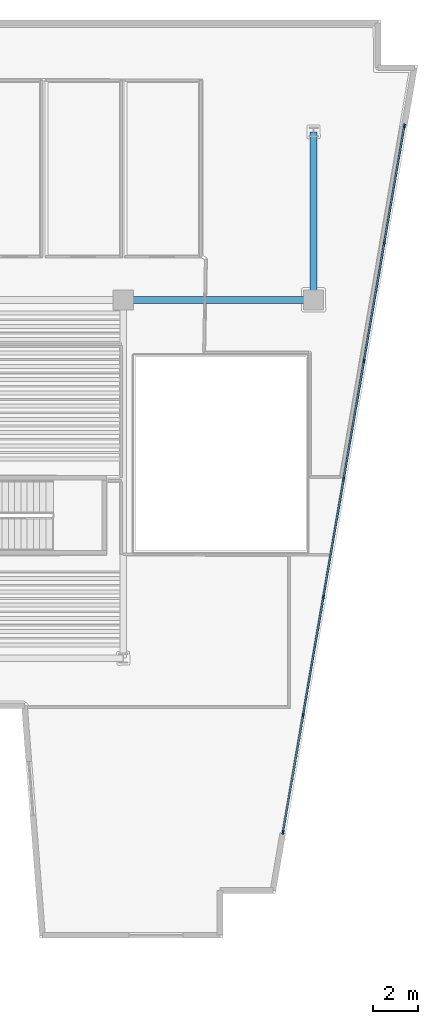
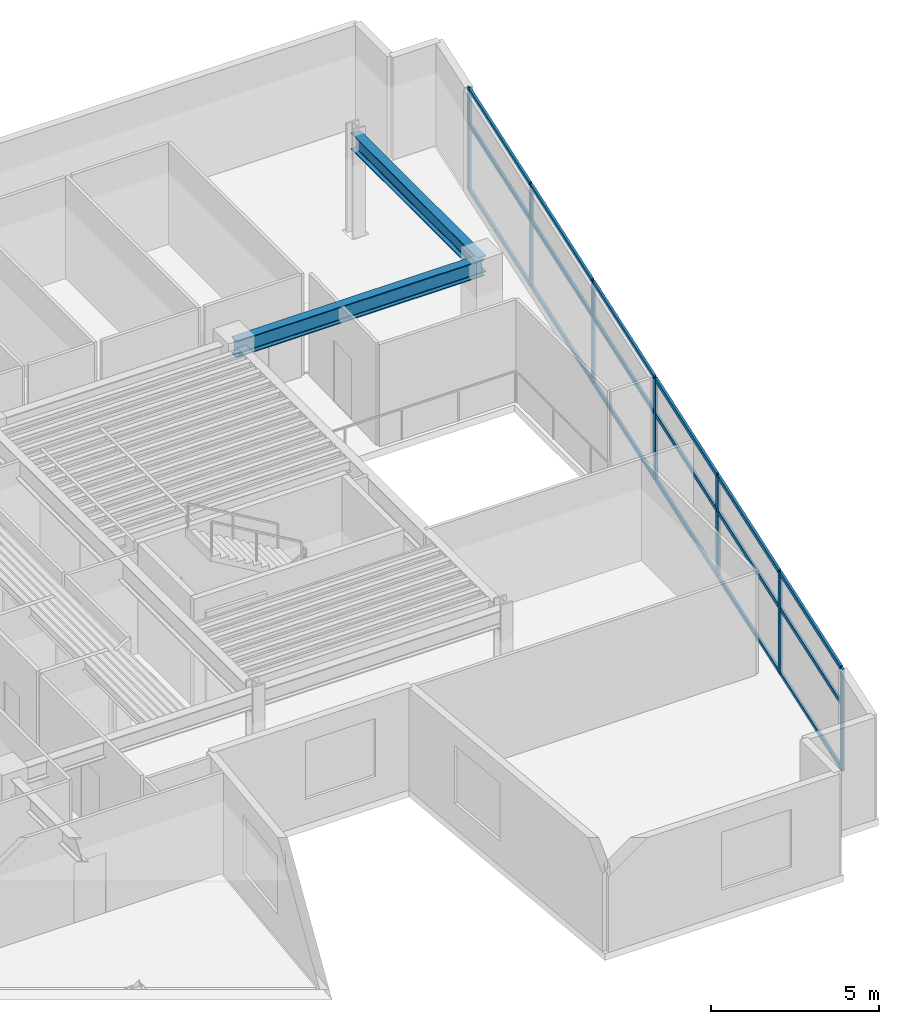
# One storey, part 2 of 9: 25 members, 2 beams, 1 element without a shape of its own.
"""IFC4 building model written with IfcOpenShell, lengths in metres."""

from ifc_helpers import new_model, si_unit, direction, frame, origin, origin_2d, place, context, subcontext, project, spatial, rectangle, i_section, extrude, material, layer, layer_set, material_profile, profile_set, type_object, element, aggregate, save


model = new_model("IFC4")

# Units and contexts
model_context = context("Model", 3, precision=1e-05, world=origin(), true_north=direction((0.0, 1.0)))
body_context = subcontext(model_context, "Body", "Model", "MODEL_VIEW")
ifc_project = project(units=[si_unit("LENGTHUNIT", "METRE"), si_unit("AREAUNIT", "SQUARE_METRE"), si_unit("VOLUMEUNIT", "CUBIC_METRE"), si_unit("PLANEANGLEUNIT", "RADIAN"), si_unit("MASSUNIT", "GRAM", prefix="KILO")], contexts=[model_context])

# Site, building, storey
site_placement = place(None, origin())
site = spatial("IfcSite", under=ifc_project, at=site_placement, CompositionType="ELEMENT")
building_placement = place(site_placement, origin())
building = spatial("IfcBuilding", under=site, at=building_placement, Name="Caeloran Harvest Quay", CompositionType="ELEMENT")
storey_placement = place(building_placement, frame((0.0, 0.0, 195.60009765625)))
storey = spatial("IfcBuildingStorey", under=building, at=storey_placement, Name="L46", CompositionType="ELEMENT", Elevation=195.60009765625)

# Beams
ifc_material_1 = material(Name="Steel S355J2", Category="steel")
ifc_material_profile_1 = material_profile(ifc_material_1, i_section(OverallWidth=0.300048828125, OverallDepth=0.60009765625, WebThickness=0.015380859375, FlangeThickness=0.030029296875, FilletRadius=0.027099609375, at=origin_2d()), Name="HE 600 B")
ifc_profile_set_1 = profile_set([ifc_material_profile_1], Name="Steel S355J2")
beam_type = type_object("IfcBeamType", Name="BM-PG-3-HE_600_B", PredefinedType="BEAM", material=ifc_profile_set_1)
beam_1_placement = place(storey_placement, frame((34.0, 31.0, 3.39990234375), z_axis=(1.0, 0.0, 0.0), x_axis=(0.0, 1.0, 0.0)))
element("IfcBeam", 1, at=beam_1_placement, inside=storey, type_object=beam_type, Name="L46 Primary East-West Girder Y=31.0", PredefinedType="BEAM", context=body_context, shape_type="SweptSolid", body=[
    extrude(i_section(OverallWidth=0.300048828125, OverallDepth=0.60009765625, WebThickness=0.015380859375, FlangeThickness=0.030029296875, FilletRadius=0.027099609375, at=origin_2d()), origin(), (0.0, 0.0, 1.0), 8.5),
])
beam_2_placement = place(storey_placement, frame((42.5, 31.0, 3.39990234375), z_axis=(0.0, 1.0, 0.0), x_axis=(-1.0, 0.0, 0.0)))
element("IfcBeam", 2, at=beam_2_placement, inside=storey, type_object=beam_type, Name="L46 Primary North-South Girder X=42.5", PredefinedType="BEAM", context=body_context, shape_type="SweptSolid", body=[
    extrude(i_section(OverallWidth=0.300048828125, OverallDepth=0.60009765625, WebThickness=0.015380859375, FlangeThickness=0.030029296875, FilletRadius=0.027099609375, at=origin_2d()), origin(), (0.0, 0.0, 1.0), 7.5),
])

# Curtain wall, members
ifc_material_2 = material(Name="Aluminium 6063-T6 and Low-E Glazing", Category="aluminium")
ifc_layer = layer(ifc_material_2, 0.2099609375, Name="Aluminium 6063-T6 and Low-E Glazing")
ifc_layer_set = layer_set([ifc_layer], Name="Aluminium 6063-T6 and Low-E Glazing")
curtain_wall_type = type_object("IfcCurtainWallType", Name="CW-SYS-CW-4", PredefinedType="USERDEFINED", material=ifc_layer_set)
curtain_wall_placement = place(storey_placement, origin())
curtain_wall = element("IfcCurtainWall", 3, at=curtain_wall_placement, inside=storey, type_object=curtain_wall_type, Name="L46 Unitised Curtain Wall CW-4 Run 9", ObjectType="CURTAIN_WALL", PredefinedType="USERDEFINED")
ifc_material_3 = material(Name="Aluminium 6063-T6", Category="aluminium")
ifc_material_profile_2 = material_profile(ifc_material_3, rectangle(XDim=0.080078125, YDim=0.179931640625, at=origin_2d()), Name="CW-MULLION-180")
ifc_profile_set_2 = profile_set([ifc_material_profile_2], Name="Aluminium 6063-T6")
member_type_1 = type_object("IfcMemberType", Name="CW-MULLION-180", PredefinedType="MULLION", material=ifc_profile_set_2)
member_1_placement = place(storey_placement, frame((46.5546875, 38.76806640625, 0.0), z_axis=(0.0, 0.0, 1.0), x_axis=(0.985548695604, -0.169392351048, 0.0)))
member_1 = element("IfcMember", 4, at=member_1_placement, type_object=member_type_1, Name="CW-4 mullion 1", PredefinedType="MULLION", context=body_context, shape_type="SweptSolid", body=[
    extrude(rectangle(XDim=0.080078125, YDim=0.179931640625, at=origin_2d()), origin(), (0.0, 0.0, 1.0), 3.699951171875),
])
member_2_placement = place(storey_placement, frame((45.65576171875, 33.538330078125, 0.0), z_axis=(0.0, 0.0, 1.0), x_axis=(0.985548695604, -0.169392351048, 0.0)))
member_2 = element("IfcMember", 5, at=member_2_placement, type_object=member_type_1, Name="CW-4 mullion 2", PredefinedType="MULLION", context=body_context, shape_type="SweptSolid", body=[
    extrude(rectangle(XDim=0.080078125, YDim=0.179931640625, at=origin_2d()), origin(), (0.0, 0.0, 1.0), 3.699951171875),
])
member_3_placement = place(storey_placement, frame((44.750244140625, 28.269287109375, 0.0), z_axis=(0.0, 0.0, 1.0), x_axis=(0.985548695604, -0.169392351048, 0.0)))
member_3 = element("IfcMember", 6, at=member_3_placement, type_object=member_type_1, Name="CW-4 mullion 3", PredefinedType="MULLION", context=body_context, shape_type="SweptSolid", body=[
    extrude(rectangle(XDim=0.080078125, YDim=0.179931640625, at=origin_2d()), origin(), (0.0, 0.0, 1.0), 3.699951171875),
])
member_4_placement = place(storey_placement, frame((43.844482421875, 23.0, 0.0), z_axis=(0.0, 0.0, 1.0), x_axis=(0.985548695604, -0.169392351048, 0.0)))
member_4 = element("IfcMember", 7, at=member_4_placement, type_object=member_type_1, Name="CW-4 mullion 4", PredefinedType="MULLION", context=body_context, shape_type="SweptSolid", body=[
    extrude(rectangle(XDim=0.080078125, YDim=0.179931640625, at=origin_2d()), origin(), (0.0, 0.0, 1.0), 3.699951171875),
])
member_5_placement = place(storey_placement, frame((42.93896484375, 17.730712890625, 0.0), z_axis=(0.0, 0.0, 1.0), x_axis=(0.985548695604, -0.169392351048, 0.0)))
member_5 = element("IfcMember", 8, at=member_5_placement, type_object=member_type_1, Name="CW-4 mullion 5", PredefinedType="MULLION", context=body_context, shape_type="SweptSolid", body=[
    extrude(rectangle(XDim=0.080078125, YDim=0.179931640625, at=origin_2d()), origin(), (0.0, 0.0, 1.0), 3.699951171875),
])
member_6_placement = place(storey_placement, frame((42.033203125, 12.461669921875, 0.0), z_axis=(0.0, 0.0, 1.0), x_axis=(0.985548695604, -0.169392351048, 0.0)))
member_6 = element("IfcMember", 9, at=member_6_placement, type_object=member_type_1, Name="CW-4 mullion 6", PredefinedType="MULLION", context=body_context, shape_type="SweptSolid", body=[
    extrude(rectangle(XDim=0.080078125, YDim=0.179931640625, at=origin_2d()), origin(), (0.0, 0.0, 1.0), 3.699951171875),
])
member_7_placement = place(storey_placement, frame((41.13427734375, 7.23193359375, 0.0), z_axis=(0.0, 0.0, 1.0), x_axis=(0.985548695604, -0.169392351048, 0.0)))
member_7 = element("IfcMember", 10, at=member_7_placement, type_object=member_type_1, Name="CW-4 mullion 7", PredefinedType="MULLION", context=body_context, shape_type="SweptSolid", body=[
    extrude(rectangle(XDim=0.080078125, YDim=0.179931640625, at=origin_2d()), origin(), (0.0, 0.0, 1.0), 3.699951171875),
])
ifc_material_profile_3 = material_profile(ifc_material_3, rectangle(XDim=0.080078125, YDim=0.14990234375, at=origin_2d()), Name="CW-TRANSOM-150")
ifc_profile_set_3 = profile_set([ifc_material_profile_3], Name="Aluminium 6063-T6")
member_type_2 = type_object("IfcMemberType", Name="CW-TRANSOM-150", PredefinedType="USERDEFINED", material=ifc_profile_set_3)
member_8_placement = place(storey_placement, frame((46.5478515625, 38.728759765625, 0.039794921875), z_axis=(-0.169381290327, -0.985550596614, 0.0), x_axis=(0.985550596614, -0.169381290327, 0.0)))
member_8 = element("IfcMember", 11, at=member_8_placement, type_object=member_type_2, Name="CW-4 transom 1.1", ObjectType="TRANSOM", PredefinedType="USERDEFINED", context=body_context, shape_type="SweptSolid", body=[
    extrude(rectangle(XDim=0.080078125, YDim=0.14990234375, at=origin_2d()), origin(), (0.0, 0.0, 1.0), 5.226318359375),
])
member_9_placement = place(storey_placement, frame((46.5478515625, 38.728759765625, 2.39990234375), z_axis=(-0.169381290327, -0.985550596614, 0.0), x_axis=(0.985550596614, -0.169381290327, 0.0)))
member_9 = element("IfcMember", 12, at=member_9_placement, type_object=member_type_2, Name="CW-4 transom 1.2", ObjectType="TRANSOM", PredefinedType="USERDEFINED", context=body_context, shape_type="SweptSolid", body=[
    extrude(rectangle(XDim=0.080078125, YDim=0.14990234375, at=origin_2d()), origin(), (0.0, 0.0, 1.0), 5.226318359375),
])
member_10_placement = place(storey_placement, frame((46.5478515625, 38.728759765625, 3.659912109375), z_axis=(-0.169381290327, -0.985550596614, 0.0), x_axis=(0.985550596614, -0.169381290327, 0.0)))
member_10 = element("IfcMember", 13, at=member_10_placement, type_object=member_type_2, Name="CW-4 transom 1.3", ObjectType="TRANSOM", PredefinedType="USERDEFINED", context=body_context, shape_type="SweptSolid", body=[
    extrude(rectangle(XDim=0.080078125, YDim=0.14990234375, at=origin_2d()), origin(), (0.0, 0.0, 1.0), 5.226318359375),
])
member_11_placement = place(storey_placement, frame((45.649169921875, 33.4990234375, 0.039794921875), z_axis=(-0.169388401421, -0.985549374442, 0.0), x_axis=(0.985549374442, -0.169388401421, 0.0)))
member_11 = element("IfcMember", 14, at=member_11_placement, type_object=member_type_2, Name="CW-4 transom 2.1", ObjectType="TRANSOM", PredefinedType="USERDEFINED", context=body_context, shape_type="SweptSolid", body=[
    extrude(rectangle(XDim=0.080078125, YDim=0.14990234375, at=origin_2d()), origin(), (0.0, 0.0, 1.0), 5.2666015625),
])
member_12_placement = place(storey_placement, frame((45.649169921875, 33.4990234375, 2.39990234375), z_axis=(-0.169388401421, -0.985549374442, 0.0), x_axis=(0.985549374442, -0.169388401421, 0.0)))
member_12 = element("IfcMember", 15, at=member_12_placement, type_object=member_type_2, Name="CW-4 transom 2.2", ObjectType="TRANSOM", PredefinedType="USERDEFINED", context=body_context, shape_type="SweptSolid", body=[
    extrude(rectangle(XDim=0.080078125, YDim=0.14990234375, at=origin_2d()), origin(), (0.0, 0.0, 1.0), 5.2666015625),
])
member_13_placement = place(storey_placement, frame((45.649169921875, 33.4990234375, 3.659912109375), z_axis=(-0.169388401421, -0.985549374442, 0.0), x_axis=(0.985549374442, -0.169388401421, 0.0)))
member_13 = element("IfcMember", 16, at=member_13_placement, type_object=member_type_2, Name="CW-4 transom 2.3", ObjectType="TRANSOM", PredefinedType="USERDEFINED", context=body_context, shape_type="SweptSolid", body=[
    extrude(rectangle(XDim=0.080078125, YDim=0.14990234375, at=origin_2d()), origin(), (0.0, 0.0, 1.0), 5.2666015625),
])
member_14_placement = place(storey_placement, frame((44.743408203125, 28.229736328125, 0.039794921875), z_axis=(-0.169388401421, -0.985549374442, 0.0), x_axis=(0.985549374442, -0.169388401421, 0.0)))
member_14 = element("IfcMember", 17, at=member_14_placement, type_object=member_type_2, Name="CW-4 transom 3.1", ObjectType="TRANSOM", PredefinedType="USERDEFINED", context=body_context, shape_type="SweptSolid", body=[
    extrude(rectangle(XDim=0.080078125, YDim=0.14990234375, at=origin_2d()), origin(), (0.0, 0.0, 1.0), 5.2666015625),
])
member_15_placement = place(storey_placement, frame((44.743408203125, 28.229736328125, 2.39990234375), z_axis=(-0.169388401421, -0.985549374442, 0.0), x_axis=(0.985549374442, -0.169388401421, 0.0)))
member_15 = element("IfcMember", 18, at=member_15_placement, type_object=member_type_2, Name="CW-4 transom 3.2", ObjectType="TRANSOM", PredefinedType="USERDEFINED", context=body_context, shape_type="SweptSolid", body=[
    extrude(rectangle(XDim=0.080078125, YDim=0.14990234375, at=origin_2d()), origin(), (0.0, 0.0, 1.0), 5.2666015625),
])
member_16_placement = place(storey_placement, frame((44.743408203125, 28.229736328125, 3.659912109375), z_axis=(-0.169388401421, -0.985549374442, 0.0), x_axis=(0.985549374442, -0.169388401421, 0.0)))
member_16 = element("IfcMember", 19, at=member_16_placement, type_object=member_type_2, Name="CW-4 transom 3.3", ObjectType="TRANSOM", PredefinedType="USERDEFINED", context=body_context, shape_type="SweptSolid", body=[
    extrude(rectangle(XDim=0.080078125, YDim=0.14990234375, at=origin_2d()), origin(), (0.0, 0.0, 1.0), 5.2666015625),
])
member_17_placement = place(storey_placement, frame((43.837890625, 22.960693359375, 0.039794921875), z_axis=(-0.169433427775, -0.985541634611, 0.0), x_axis=(0.985541634611, -0.169433427775, 0.0)))
member_17 = element("IfcMember", 20, at=member_17_placement, type_object=member_type_2, Name="CW-4 transom 4.1", ObjectType="TRANSOM", PredefinedType="USERDEFINED", context=body_context, shape_type="SweptSolid", body=[
    extrude(rectangle(XDim=0.080078125, YDim=0.14990234375, at=origin_2d()), origin(), (0.0, 0.0, 1.0), 5.2666015625),
])
member_18_placement = place(storey_placement, frame((43.837890625, 22.960693359375, 2.39990234375), z_axis=(-0.169433427775, -0.985541634611, 0.0), x_axis=(0.985541634611, -0.169433427775, 0.0)))
member_18 = element("IfcMember", 21, at=member_18_placement, type_object=member_type_2, Name="CW-4 transom 4.2", ObjectType="TRANSOM", PredefinedType="USERDEFINED", context=body_context, shape_type="SweptSolid", body=[
    extrude(rectangle(XDim=0.080078125, YDim=0.14990234375, at=origin_2d()), origin(), (0.0, 0.0, 1.0), 5.2666015625),
])
member_19_placement = place(storey_placement, frame((43.837890625, 22.960693359375, 3.659912109375), z_axis=(-0.169433427775, -0.985541634611, 0.0), x_axis=(0.985541634611, -0.169433427775, 0.0)))
member_19 = element("IfcMember", 22, at=member_19_placement, type_object=member_type_2, Name="CW-4 transom 4.3", ObjectType="TRANSOM", PredefinedType="USERDEFINED", context=body_context, shape_type="SweptSolid", body=[
    extrude(rectangle(XDim=0.080078125, YDim=0.14990234375, at=origin_2d()), origin(), (0.0, 0.0, 1.0), 5.2666015625),
])
member_20_placement = place(storey_placement, frame((42.93212890625, 17.69140625, 0.039794921875), z_axis=(-0.169388401421, -0.985549374442, 0.0), x_axis=(0.985549374442, -0.169388401421, 0.0)))
member_20 = element("IfcMember", 23, at=member_20_placement, type_object=member_type_2, Name="CW-4 transom 5.1", ObjectType="TRANSOM", PredefinedType="USERDEFINED", context=body_context, shape_type="SweptSolid", body=[
    extrude(rectangle(XDim=0.080078125, YDim=0.14990234375, at=origin_2d()), origin(), (0.0, 0.0, 1.0), 5.2666015625),
])
member_21_placement = place(storey_placement, frame((42.93212890625, 17.69140625, 2.39990234375), z_axis=(-0.169388401421, -0.985549374442, 0.0), x_axis=(0.985549374442, -0.169388401421, 0.0)))
member_21 = element("IfcMember", 24, at=member_21_placement, type_object=member_type_2, Name="CW-4 transom 5.2", ObjectType="TRANSOM", PredefinedType="USERDEFINED", context=body_context, shape_type="SweptSolid", body=[
    extrude(rectangle(XDim=0.080078125, YDim=0.14990234375, at=origin_2d()), origin(), (0.0, 0.0, 1.0), 5.2666015625),
])
member_22_placement = place(storey_placement, frame((42.93212890625, 17.69140625, 3.659912109375), z_axis=(-0.169388401421, -0.985549374442, 0.0), x_axis=(0.985549374442, -0.169388401421, 0.0)))
member_22 = element("IfcMember", 25, at=member_22_placement, type_object=member_type_2, Name="CW-4 transom 5.3", ObjectType="TRANSOM", PredefinedType="USERDEFINED", context=body_context, shape_type="SweptSolid", body=[
    extrude(rectangle(XDim=0.080078125, YDim=0.14990234375, at=origin_2d()), origin(), (0.0, 0.0, 1.0), 5.2666015625),
])
member_23_placement = place(storey_placement, frame((42.0263671875, 12.422119140625, 0.039794921875), z_axis=(-0.169381290327, -0.985550596614, 0.0), x_axis=(0.985550596614, -0.169381290327, 0.0)))
member_23 = element("IfcMember", 26, at=member_23_placement, type_object=member_type_2, Name="CW-4 transom 6.1", ObjectType="TRANSOM", PredefinedType="USERDEFINED", context=body_context, shape_type="SweptSolid", body=[
    extrude(rectangle(XDim=0.080078125, YDim=0.14990234375, at=origin_2d()), origin(), (0.0, 0.0, 1.0), 5.226318359375),
])
member_24_placement = place(storey_placement, frame((42.0263671875, 12.422119140625, 2.39990234375), z_axis=(-0.169381290327, -0.985550596614, 0.0), x_axis=(0.985550596614, -0.169381290327, 0.0)))
member_24 = element("IfcMember", 27, at=member_24_placement, type_object=member_type_2, Name="CW-4 transom 6.2", ObjectType="TRANSOM", PredefinedType="USERDEFINED", context=body_context, shape_type="SweptSolid", body=[
    extrude(rectangle(XDim=0.080078125, YDim=0.14990234375, at=origin_2d()), origin(), (0.0, 0.0, 1.0), 5.226318359375),
])
member_25_placement = place(storey_placement, frame((42.0263671875, 12.422119140625, 3.659912109375), z_axis=(-0.169381290327, -0.985550596614, 0.0), x_axis=(0.985550596614, -0.169381290327, 0.0)))
member_25 = element("IfcMember", 28, at=member_25_placement, type_object=member_type_2, Name="CW-4 transom 6.3", ObjectType="TRANSOM", PredefinedType="USERDEFINED", context=body_context, shape_type="SweptSolid", body=[
    extrude(rectangle(XDim=0.080078125, YDim=0.14990234375, at=origin_2d()), origin(), (0.0, 0.0, 1.0), 5.226318359375),
])
aggregate(curtain_wall, [member_1, member_2, member_3, member_4, member_5, member_6, member_7, member_8, member_9, member_10, member_11, member_12, member_13, member_14, member_15, member_16, member_17, member_18, member_19, member_20, member_21, member_22, member_23, member_24, member_25])

save(model, "model.ifc")
